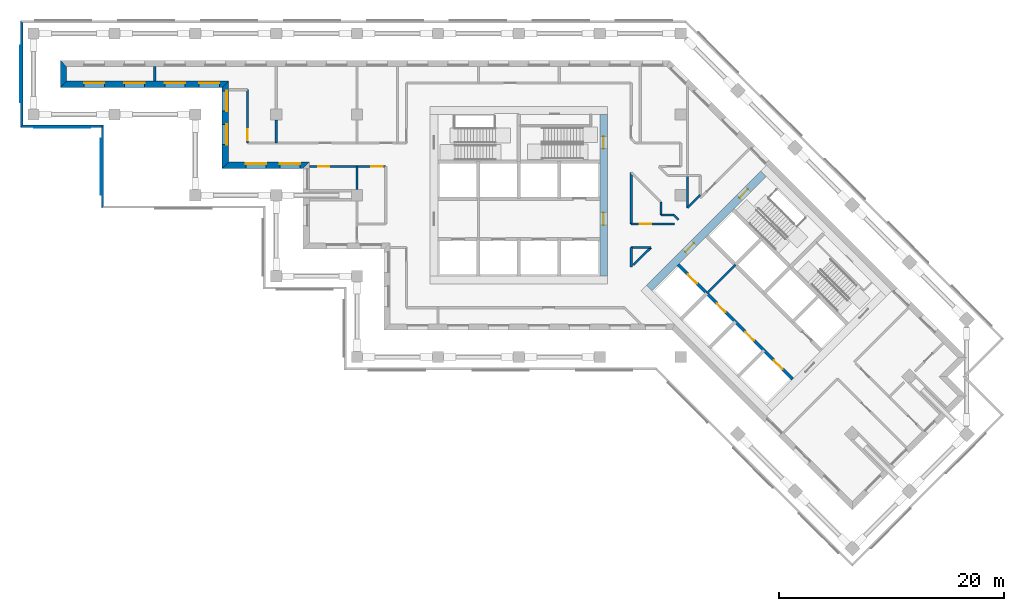
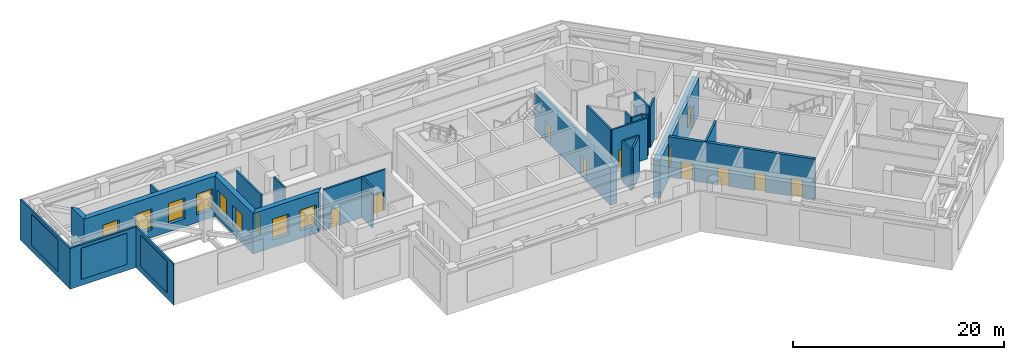
# One storey, part 4 of 9: 26 walls, 12 doors, 8 windows, 3 plates, 20 openings.
"""IFC4 building model written with IfcOpenShell, lengths in metres."""

from ifc_helpers import new_model, si_unit, direction, frame, frame_2d, origin, place, context, subcontext, project, spatial, polyline, rectangle, outline, extrude, material, layer, layer_set, type_object, element, fill, aggregate, save


model = new_model("IFC4")

# Units and contexts
model_context = context("Model", 3, precision=1e-05, world=origin(), true_north=direction((0.0, 1.0)))
body_context = subcontext(model_context, "Body", "Model", "MODEL_VIEW")
ifc_project = project(units=[si_unit("LENGTHUNIT", "METRE"), si_unit("AREAUNIT", "SQUARE_METRE"), si_unit("VOLUMEUNIT", "CUBIC_METRE"), si_unit("PLANEANGLEUNIT", "RADIAN"), si_unit("MASSUNIT", "GRAM", prefix="KILO")], contexts=[model_context])

# Plate
ifc_material_1 = material(Name="Aluminium louvre", Category="aluminium")
ifc_layer_1 = layer(ifc_material_1, 0.05)
ifc_layer_set_1 = layer_set([ifc_layer_1], Name="Belt louvre panel 5000x3600")
plate_type = type_object("IfcPlateType", Name="Belt louvre panel 5000x3600", PredefinedType="SHEET", material=ifc_layer_set_1)
site_placement = place(None, origin())
building_placement = place(site_placement, origin())
storey_placement = place(building_placement, frame((0.0, 0.0, 126.2)))
plate_1_placement = place(storey_placement, frame((20.4, 70.9, 0.75), z_axis=(-1.0, 0.0, 0.0), x_axis=(0.0, -1.0, 0.0)))
plate_1 = element("IfcPlate", 1, at=plate_1_placement, type_object=plate_type, Name="Belt louvre panel L34 37.1", PredefinedType="SHEET", context=body_context, shape_type="SweptSolid", body=[
    extrude(outline(polyline([(0.0, 0.0), (5.0, 0.0), (5.0, 3.6), (0.0, 3.6), (0.0, 0.0)])), origin(), (0.0, 0.0, -1.0), 0.05),
])

plate_2_placement = place(storey_placement, frame((21.65, 63.6, 0.75), z_axis=(0.0, -1.0, 0.0), x_axis=(1.0, 0.0, 0.0)))
plate_2 = element("IfcPlate", 2, at=plate_2_placement, type_object=plate_type, Name="Belt louvre panel L34 41.1", PredefinedType="SHEET", context=body_context, shape_type="SweptSolid", body=[
    extrude(outline(polyline([(0.0, 0.0), (5.0, 0.0), (5.0, 3.6), (0.0, 3.6), (0.0, 0.0)])), origin(), (0.0, 0.0, -1.0), 0.05),
])

plate_3_placement = place(storey_placement, frame((27.6, 62.65, 0.75), z_axis=(-1.0, 0.0, 0.0), x_axis=(0.0, -1.0, 0.0)))
plate_3 = element("IfcPlate", 3, at=plate_3_placement, type_object=plate_type, Name="Belt louvre panel L34 45.1", PredefinedType="SHEET", context=body_context, shape_type="SweptSolid", body=[
    extrude(outline(polyline([(0.0, 0.0), (5.0, 0.0), (5.0, 3.6), (0.0, 3.6), (0.0, 0.0)])), origin(), (0.0, 0.0, -1.0), 0.05),
])

# Site, building, storey
site = spatial("IfcSite", under=ifc_project, at=site_placement, CompositionType="ELEMENT")
building = spatial("IfcBuilding", under=site, at=building_placement, Name="Windrow Commons", CompositionType="ELEMENT")
storey = spatial("IfcBuildingStorey", under=building, at=storey_placement, Name="L34", CompositionType="ELEMENT", Elevation=126.2)

# Wall
ifc_material_2 = material(Name="Concrete C40/50 precast screen panel", Category="concrete")
ifc_layer_2 = layer(ifc_material_2, 0.2)
ifc_layer_set_2 = layer_set([ifc_layer_2], Name="Belt screen wall 200")
wall_type_1 = type_object("IfcWallType", Name="Belt screen wall 200", PredefinedType="SOLIDWALL", material=ifc_layer_set_2)
wall_1_placement = place(storey_placement, frame((20.55, 73.05, 0.0), z_axis=(0.0, 0.0, 1.0), x_axis=(0.0, -1.0, 0.0)))
wall_1 = element("IfcWall", 4, at=wall_1_placement, inside=storey, type_object=wall_type_1, Name="Belt screen wall L34 37", PredefinedType="SOLIDWALL", context=body_context, shape_type="SweptSolid", body=[
    extrude(outline(polyline([(-0.1, -0.1), (9.4, -0.1), (9.2, 0.1), (0.1, 0.1), (-0.1, -0.1)])), origin(), (0.0, 0.0, 1.0), 4.7),
])

aggregate(wall_1, [plate_1])

wall_2_placement = place(storey_placement, frame((20.55, 63.75, 0.0), z_axis=(0.0, 0.0, 1.0), x_axis=(1.0, 0.0, 0.0)))
wall_2 = element("IfcWall", 5, at=wall_2_placement, inside=storey, type_object=wall_type_1, Name="Belt screen wall L34 41", PredefinedType="SOLIDWALL", context=body_context, shape_type="SweptSolid", body=[
    extrude(outline(polyline([(-0.1, -0.1), (7.1, -0.1), (7.3, 0.1), (0.1, 0.1), (-0.1, -0.1)])), origin(), (0.0, 0.0, 1.0), 4.7),
])

aggregate(wall_2, [plate_2])

wall_3_placement = place(storey_placement, frame((27.75, 63.75, 0.0), z_axis=(0.0, 0.0, 1.0), x_axis=(0.0, -1.0, 0.0)))
wall_3 = element("IfcWall", 6, at=wall_3_placement, inside=storey, type_object=wall_type_1, Name="Belt screen wall L34 45", PredefinedType="SOLIDWALL", context=body_context, shape_type="SweptSolid", body=[
    extrude(outline(polyline([(0.1, -0.1), (7.3, -0.1), (7.1, 0.1), (-0.1, 0.1), (0.1, -0.1)])), origin(), (0.0, 0.0, 1.0), 4.7),
])

aggregate(wall_3, [plate_3])

ifc_material_3 = material(Name="Brick masonry, red clay brick", Category="masonry")
ifc_layer_3 = layer(ifc_material_3, 0.55)
ifc_layer_set_3 = layer_set([ifc_layer_3], Name="Brick facade wall 550")
wall_type_2 = type_object("IfcWallType", Name="Brick facade wall 550", PredefinedType="SOLIDWALL", material=ifc_layer_set_3)
wall_4_placement = place(storey_placement, frame((24.275, 69.325, 0.0), z_axis=(0.0, 0.0, 1.0), x_axis=(0.0, -1.0, 0.0)))
element("IfcWall", 7, at=wall_4_placement, inside=storey, type_object=wall_type_2, Name="Brick facade wall L34 5", PredefinedType="SOLIDWALL", context=body_context, shape_type="SweptSolid", body=[
    extrude(outline(polyline([(-0.275, -0.275), (2.125, -0.275), (1.575, 0.275), (0.275, 0.275), (-0.275, -0.275)])), origin(), (0.0, 0.0, 1.0), 4.7),
])

# Wall, openings, windows
wall_5_placement = place(storey_placement, frame((24.275, 67.475, 0.0), z_axis=(0.0, 0.0, 1.0), x_axis=(1.0, 0.0, 0.0)))
wall_5 = element("IfcWall", 8, at=wall_5_placement, inside=storey, type_object=wall_type_2, Name="Brick facade wall L34 6", PredefinedType="SOLIDWALL", context=body_context, shape_type="SweptSolid", body=[
    extrude(outline(polyline([(-0.275, -0.275), (14.125, -0.275), (14.675, 0.275), (0.275, 0.275), (-0.275, -0.275)])), origin(), (0.0, 0.0, 1.0), 4.7),
])
opening_1_placement = place(wall_5_placement, frame((1.825, 0.0, 0.9)))
opening_1 = element("IfcOpeningElement", 9, at=opening_1_placement, cuts=wall_5, Name="Opening LV1", PredefinedType="OPENING", context=body_context, shape_type="SweptSolid", body=[
    extrude(rectangle(XDim=1.8, YDim=2.4, at=frame_2d((0.9, 1.2))), frame((0.0, 0.285, 0.0), z_axis=(0.0, -1.0, 0.0), x_axis=(1.0, 0.0, 0.0)), (0.0, 0.0, 1.0), 0.57),
])
opening_2_placement = place(wall_5_placement, frame((5.425, 0.0, 0.9)))
opening_2 = element("IfcOpeningElement", 10, at=opening_2_placement, cuts=wall_5, Name="Opening LV1", PredefinedType="OPENING", context=body_context, shape_type="SweptSolid", body=[
    extrude(rectangle(XDim=1.8, YDim=2.4, at=frame_2d((0.9, 1.2))), frame((0.0, 0.285, 0.0), z_axis=(0.0, -1.0, 0.0), x_axis=(1.0, 0.0, 0.0)), (0.0, 0.0, 1.0), 0.57),
])
opening_3_placement = place(wall_5_placement, frame((9.025, 0.0, 0.9)))
opening_3 = element("IfcOpeningElement", 11, at=opening_3_placement, cuts=wall_5, Name="Opening LV1", PredefinedType="OPENING", context=body_context, shape_type="SweptSolid", body=[
    extrude(rectangle(XDim=1.8, YDim=2.4, at=frame_2d((0.9, 1.2))), frame((0.0, 0.285, 0.0), z_axis=(0.0, -1.0, 0.0), x_axis=(1.0, 0.0, 0.0)), (0.0, 0.0, 1.0), 0.57),
])
opening_4_placement = place(wall_5_placement, frame((12.0625, 0.0, 0.9)))
opening_4 = element("IfcOpeningElement", 12, at=opening_4_placement, cuts=wall_5, Name="Opening LV1", PredefinedType="OPENING", context=body_context, shape_type="SweptSolid", body=[
    extrude(rectangle(XDim=1.8, YDim=2.4, at=frame_2d((0.9, 1.2))), frame((0.0, 0.285, 0.0), z_axis=(0.0, -1.0, 0.0), x_axis=(1.0, 0.0, 0.0)), (0.0, 0.0, 1.0), 0.57),
])
ifc_material_4 = material(Name="Aluminium 6063-T6 anodised louvre", Category="aluminium")
window_type = type_object("IfcWindowType", Name="Plant louvre 1800x2400", PartitioningType="SINGLE_PANEL", PredefinedType="WINDOW", material=ifc_material_4)
window_1_placement = place(opening_1_placement, origin())
window_1 = element("IfcWindow", 13, at=window_1_placement, inside=storey, type_object=window_type, Name="Louvre L34 6.1", OverallHeight=2.4, OverallWidth=1.8, PartitioningType="SINGLE_PANEL", PredefinedType="WINDOW", context=body_context, shape_type="SweptSolid", body=[
    extrude(rectangle(XDim=1.8, YDim=2.4, at=frame_2d((0.9, 1.2))), frame((0.0, 0.155, 0.0), z_axis=(0.0, -1.0, 0.0), x_axis=(1.0, 0.0, 0.0)), (0.0, 0.0, 1.0), 0.06),
])
fill(opening_1, window_1)
window_2_placement = place(opening_2_placement, origin())
window_2 = element("IfcWindow", 14, at=window_2_placement, inside=storey, type_object=window_type, Name="Louvre L34 6.2", OverallHeight=2.4, OverallWidth=1.8, PartitioningType="SINGLE_PANEL", PredefinedType="WINDOW", context=body_context, shape_type="SweptSolid", body=[
    extrude(rectangle(XDim=1.8, YDim=2.4, at=frame_2d((0.9, 1.2))), frame((0.0, 0.155, 0.0), z_axis=(0.0, -1.0, 0.0), x_axis=(1.0, 0.0, 0.0)), (0.0, 0.0, 1.0), 0.06),
])
fill(opening_2, window_2)
window_3_placement = place(opening_3_placement, origin())
window_3 = element("IfcWindow", 15, at=window_3_placement, inside=storey, type_object=window_type, Name="Louvre L34 6.3", OverallHeight=2.4, OverallWidth=1.8, PartitioningType="SINGLE_PANEL", PredefinedType="WINDOW", context=body_context, shape_type="SweptSolid", body=[
    extrude(rectangle(XDim=1.8, YDim=2.4, at=frame_2d((0.9, 1.2))), frame((0.0, 0.155, 0.0), z_axis=(0.0, -1.0, 0.0), x_axis=(1.0, 0.0, 0.0)), (0.0, 0.0, 1.0), 0.06),
])
fill(opening_3, window_3)
window_4_placement = place(opening_4_placement, origin())
window_4 = element("IfcWindow", 16, at=window_4_placement, inside=storey, type_object=window_type, Name="Louvre L34 6.4", OverallHeight=2.4, OverallWidth=1.8, PartitioningType="SINGLE_PANEL", PredefinedType="WINDOW", context=body_context, shape_type="SweptSolid", body=[
    extrude(rectangle(XDim=1.8, YDim=2.4, at=frame_2d((0.9, 1.2))), frame((0.0, 0.155, 0.0), z_axis=(0.0, -1.0, 0.0), x_axis=(1.0, 0.0, 0.0)), (0.0, 0.0, 1.0), 0.06),
])
fill(opening_4, window_4)

wall_6_placement = place(storey_placement, frame((38.675, 67.475, 0.0), z_axis=(0.0, 0.0, 1.0), x_axis=(0.0, -1.0, 0.0)))
wall_6 = element("IfcWall", 17, at=wall_6_placement, inside=storey, type_object=wall_type_2, Name="Brick facade wall L34 7", PredefinedType="SOLIDWALL", context=body_context, shape_type="SweptSolid", body=[
    extrude(outline(polyline([(0.275, -0.275), (7.475, -0.275), (6.925, 0.275), (-0.275, 0.275), (0.275, -0.275)])), origin(), (0.0, 0.0, 1.0), 4.7),
])
opening_5_placement = place(wall_6_placement, frame((0.5875, 0.0, 0.9)))
opening_5 = element("IfcOpeningElement", 18, at=opening_5_placement, cuts=wall_6, Name="Opening LV1", PredefinedType="OPENING", context=body_context, shape_type="SweptSolid", body=[
    extrude(rectangle(XDim=1.8, YDim=2.4, at=frame_2d((0.9, 1.2))), frame((0.0, 0.285, 0.0), z_axis=(0.0, -1.0, 0.0), x_axis=(1.0, 0.0, 0.0)), (0.0, 0.0, 1.0), 0.57),
])
opening_6_placement = place(wall_6_placement, frame((3.575, 0.0, 0.9)))
opening_6 = element("IfcOpeningElement", 19, at=opening_6_placement, cuts=wall_6, Name="Opening LV1", PredefinedType="OPENING", context=body_context, shape_type="SweptSolid", body=[
    extrude(rectangle(XDim=1.8, YDim=2.4, at=frame_2d((0.9, 1.2))), frame((0.0, 0.285, 0.0), z_axis=(0.0, -1.0, 0.0), x_axis=(1.0, 0.0, 0.0)), (0.0, 0.0, 1.0), 0.57),
])
window_5_placement = place(opening_5_placement, origin())
window_5 = element("IfcWindow", 20, at=window_5_placement, inside=storey, type_object=window_type, Name="Louvre L34 7.1", OverallHeight=2.4, OverallWidth=1.8, PartitioningType="SINGLE_PANEL", PredefinedType="WINDOW", context=body_context, shape_type="SweptSolid", body=[
    extrude(rectangle(XDim=1.8, YDim=2.4, at=frame_2d((0.9, 1.2))), frame((0.0, 0.155, 0.0), z_axis=(0.0, -1.0, 0.0), x_axis=(1.0, 0.0, 0.0)), (0.0, 0.0, 1.0), 0.06),
])
fill(opening_5, window_5)
window_6_placement = place(opening_6_placement, origin())
window_6 = element("IfcWindow", 21, at=window_6_placement, inside=storey, type_object=window_type, Name="Louvre L34 7.2", OverallHeight=2.4, OverallWidth=1.8, PartitioningType="SINGLE_PANEL", PredefinedType="WINDOW", context=body_context, shape_type="SweptSolid", body=[
    extrude(rectangle(XDim=1.8, YDim=2.4, at=frame_2d((0.9, 1.2))), frame((0.0, 0.155, 0.0), z_axis=(0.0, -1.0, 0.0), x_axis=(1.0, 0.0, 0.0)), (0.0, 0.0, 1.0), 0.06),
])
fill(opening_6, window_6)

wall_7_placement = place(storey_placement, frame((38.675, 60.275, 0.0), z_axis=(0.0, 0.0, 1.0), x_axis=(1.0, 0.0, 0.0)))
wall_7 = element("IfcWall", 22, at=wall_7_placement, inside=storey, type_object=wall_type_2, Name="Brick facade wall L34 8", PredefinedType="SOLIDWALL", context=body_context, shape_type="SweptSolid", body=[
    extrude(outline(polyline([(-0.275, -0.275), (6.925, -0.275), (7.475, 0.275), (0.275, 0.275), (-0.275, -0.275)])), origin(), (0.0, 0.0, 1.0), 4.7),
])
opening_7_placement = place(wall_7_placement, frame((1.825, 0.0, 0.9)))
opening_7 = element("IfcOpeningElement", 23, at=opening_7_placement, cuts=wall_7, Name="Opening LV1", PredefinedType="OPENING", context=body_context, shape_type="SweptSolid", body=[
    extrude(rectangle(XDim=1.8, YDim=2.4, at=frame_2d((0.9, 1.2))), frame((0.0, 0.285, 0.0), z_axis=(0.0, -1.0, 0.0), x_axis=(1.0, 0.0, 0.0)), (0.0, 0.0, 1.0), 0.57),
])
opening_8_placement = place(wall_7_placement, frame((4.8625, 0.0, 0.9)))
opening_8 = element("IfcOpeningElement", 24, at=opening_8_placement, cuts=wall_7, Name="Opening LV1", PredefinedType="OPENING", context=body_context, shape_type="SweptSolid", body=[
    extrude(rectangle(XDim=1.8, YDim=2.4, at=frame_2d((0.9, 1.2))), frame((0.0, 0.285, 0.0), z_axis=(0.0, -1.0, 0.0), x_axis=(1.0, 0.0, 0.0)), (0.0, 0.0, 1.0), 0.57),
])
window_7_placement = place(opening_7_placement, origin())
window_7 = element("IfcWindow", 25, at=window_7_placement, inside=storey, type_object=window_type, Name="Louvre L34 8.1", OverallHeight=2.4, OverallWidth=1.8, PartitioningType="SINGLE_PANEL", PredefinedType="WINDOW", context=body_context, shape_type="SweptSolid", body=[
    extrude(rectangle(XDim=1.8, YDim=2.4, at=frame_2d((0.9, 1.2))), frame((0.0, 0.155, 0.0), z_axis=(0.0, -1.0, 0.0), x_axis=(1.0, 0.0, 0.0)), (0.0, 0.0, 1.0), 0.06),
])
fill(opening_7, window_7)
window_8_placement = place(opening_8_placement, origin())
window_8 = element("IfcWindow", 26, at=window_8_placement, inside=storey, type_object=window_type, Name="Louvre L34 8.2", OverallHeight=2.4, OverallWidth=1.8, PartitioningType="SINGLE_PANEL", PredefinedType="WINDOW", context=body_context, shape_type="SweptSolid", body=[
    extrude(rectangle(XDim=1.8, YDim=2.4, at=frame_2d((0.9, 1.2))), frame((0.0, 0.155, 0.0), z_axis=(0.0, -1.0, 0.0), x_axis=(1.0, 0.0, 0.0)), (0.0, 0.0, 1.0), 0.06),
])
fill(opening_8, window_8)

# Wall
ifc_material_5 = material(Name="Blockwork partition", Category="masonry")
ifc_layer_4 = layer(ifc_material_5, 0.2)
ifc_layer_set_4 = layer_set([ifc_layer_4], Name="Fire lobby partition 200")
wall_type_3 = type_object("IfcWallType", Name="Fire lobby partition 200", PredefinedType="PARTITIONING", material=ifc_layer_set_4)
wall_8_placement = place(storey_placement, frame((81.5335, 48.8776, 0.0), z_axis=(0.0, 0.0, 1.0), x_axis=(0.707092892, 0.7071206701, 0.0)))
element("IfcWall", 27, at=wall_8_placement, inside=storey, type_object=wall_type_3, Name="W-core-lobby-B-L34", PredefinedType="PARTITIONING", context=body_context, shape_type="SweptSolid", body=[
    extrude(rectangle(XDim=3.6, YDim=0.2, at=frame_2d((1.8, 0.0))), origin(), (0.0, 0.0, 1.0), 4.7),
])

# Wall, openings, doors
ifc_material_6 = material(Name="Blockwork partition", Category="masonry")
ifc_layer_5 = layer(ifc_material_6, 0.2)
ifc_layer_set_5 = layer_set([ifc_layer_5], Name="IW-CORRIDOR-200")
wall_type_4 = type_object("IfcWallType", Name="IW-CORRIDOR-200", PredefinedType="PARTITIONING", material=ifc_layer_set_5)
wall_9_placement = place(storey_placement, frame((46.15, 60.15, 0.0), z_axis=(0.0, 0.0, 1.0), x_axis=(1.0, 0.0, 0.0)))
wall_9 = element("IfcWall", 28, at=wall_9_placement, inside=storey, type_object=wall_type_4, Name="W-L34-W006", PredefinedType="PARTITIONING", context=body_context, shape_type="SweptSolid", body=[
    extrude(rectangle(XDim=6.8, YDim=0.2, at=frame_2d((3.4, 0.0))), origin(), (0.0, 0.0, 1.0), 4.7),
])
opening_9_placement = place(wall_9_placement, frame((0.7962, 0.0, 0.0)))
opening_9 = element("IfcOpeningElement", 29, at=opening_9_placement, cuts=wall_9, Name="Opening D410F", PredefinedType="OPENING", context=body_context, shape_type="SweptSolid", body=[
    extrude(rectangle(XDim=1.0, YDim=2.1, at=frame_2d((0.5, 1.05))), frame((0.0, 0.11, 0.0), z_axis=(0.0, -1.0, 0.0), x_axis=(1.0, 0.0, 0.0)), (0.0, 0.0, 1.0), 0.22),
])
opening_10_placement = place(wall_9_placement, frame((5.5324, 0.0, 0.0)))
opening_10 = element("IfcOpeningElement", 30, at=opening_10_placement, cuts=wall_9, Name="Opening D410F", PredefinedType="OPENING", context=body_context, shape_type="SweptSolid", body=[
    extrude(rectangle(XDim=1.0, YDim=2.1, at=frame_2d((0.5, 1.05))), frame((0.0, 0.11, 0.0), z_axis=(0.0, -1.0, 0.0), x_axis=(1.0, 0.0, 0.0)), (0.0, 0.0, 1.0), 0.22),
])
ifc_material_7 = material(Name="Timber door leaf", Category="wood")
door_type_1 = type_object("IfcDoorType", Name="DT-SERVICE-1000", OperationType="SINGLE_SWING_LEFT", PredefinedType="DOOR", material=ifc_material_7)
door_1_placement = place(opening_9_placement, origin())
door_1 = element("IfcDoor", 31, at=door_1_placement, inside=storey, type_object=door_type_1, Name="D-L34-D002", OperationType="SINGLE_SWING_RIGHT", OverallHeight=2.1, OverallWidth=1.0, PredefinedType="DOOR", context=body_context, shape_type="SweptSolid", body=[
    extrude(rectangle(XDim=1.0, YDim=2.1, at=frame_2d((0.5, 1.05))), frame((0.0, 0.025, 0.0), z_axis=(0.0, -1.0, 0.0), x_axis=(1.0, 0.0, 0.0)), (0.0, 0.0, 1.0), 0.05),
])
fill(opening_9, door_1)
door_2_placement = place(opening_10_placement, origin())
door_2 = element("IfcDoor", 32, at=door_2_placement, inside=storey, type_object=door_type_1, Name="D-L34-D003", OperationType="SINGLE_SWING_LEFT", OverallHeight=2.1, OverallWidth=1.0, PredefinedType="DOOR", context=body_context, shape_type="SweptSolid", body=[
    extrude(rectangle(XDim=1.0, YDim=2.1, at=frame_2d((0.5, 1.05))), frame((0.0, 0.025, 0.0), z_axis=(0.0, -1.0, 0.0), x_axis=(1.0, 0.0, 0.0)), (0.0, 0.0, 1.0), 0.05),
])
fill(opening_10, door_2)

# Wall, opening, door
wall_10_placement = place(storey_placement, frame((40.65, 62.252, 0.0), z_axis=(0.0, 0.0, 1.0), x_axis=(0.0, 1.0, 0.0)))
wall_10 = element("IfcWall", 33, at=wall_10_placement, inside=storey, type_object=wall_type_4, Name="W-L34-W016", PredefinedType="PARTITIONING", context=body_context, shape_type="SweptSolid", body=[
    extrude(rectangle(XDim=4.746, YDim=0.2, at=frame_2d((2.373, 0.0))), origin(), (0.0, 0.0, 1.0), 4.7),
])
opening_11_placement = place(wall_10_placement, frame((0.2318, 0.0, 0.0)))
opening_11 = element("IfcOpeningElement", 34, at=opening_11_placement, cuts=wall_10, Name="Opening D410F", PredefinedType="OPENING", context=body_context, shape_type="SweptSolid", body=[
    extrude(rectangle(XDim=1.0, YDim=2.1, at=frame_2d((0.5, 1.05))), frame((0.0, 0.11, 0.0), z_axis=(0.0, -1.0, 0.0), x_axis=(1.0, 0.0, 0.0)), (0.0, 0.0, 1.0), 0.22),
])
door_3_placement = place(opening_11_placement, origin())
door_3 = element("IfcDoor", 35, at=door_3_placement, inside=storey, type_object=door_type_1, Name="D-L34-D006", OperationType="SINGLE_SWING_LEFT", OverallHeight=2.1, OverallWidth=1.0, PredefinedType="DOOR", context=body_context, shape_type="SweptSolid", body=[
    extrude(rectangle(XDim=1.0, YDim=2.1, at=frame_2d((0.5, 1.05))), frame((0.0, 0.025, 0.0), z_axis=(0.0, -1.0, 0.0), x_axis=(1.0, 0.0, 0.0)), (0.0, 0.0, 1.0), 0.05),
])
fill(opening_11, door_3)

# Wall
wall_11_placement = place(storey_placement, frame((74.8, 55.052, 0.0), z_axis=(0.0, 0.0, 1.0), x_axis=(0.0, 1.0, 0.0)))
element("IfcWall", 36, at=wall_11_placement, inside=storey, type_object=wall_type_4, Name="W-L34-W017", PredefinedType="PARTITIONING", context=body_context, shape_type="SweptSolid", body=[
    extrude(rectangle(XDim=4.588, YDim=0.2, at=frame_2d((2.294, 0.0))), origin(), (0.0, 0.0, 1.0), 4.7),
])

# Wall, opening, door
wall_12_placement = place(storey_placement, frame((74.802, 55.05, 0.0), z_axis=(0.0, 0.0, 1.0), x_axis=(1.0, 0.0, 0.0)))
wall_12 = element("IfcWall", 37, at=wall_12_placement, inside=storey, type_object=wall_type_4, Name="W-L34-W022", PredefinedType="PARTITIONING", context=body_context, shape_type="SweptSolid", body=[
    extrude(rectangle(XDim=3.852, YDim=0.2, at=frame_2d((1.926, 0.0))), origin(), (0.0, 0.0, 1.0), 4.7),
])
opening_12_placement = place(wall_12_placement, frame((0.7595, 0.0, 0.0)))
opening_12 = element("IfcOpeningElement", 38, at=opening_12_placement, cuts=wall_12, Name="Opening D410F", PredefinedType="OPENING", context=body_context, shape_type="SweptSolid", body=[
    extrude(rectangle(XDim=1.0, YDim=2.1, at=frame_2d((0.5, 1.05))), frame((0.0, 0.11, 0.0), z_axis=(0.0, -1.0, 0.0), x_axis=(1.0, 0.0, 0.0)), (0.0, 0.0, 1.0), 0.22),
])
door_4_placement = place(opening_12_placement, origin())
door_4 = element("IfcDoor", 39, at=door_4_placement, inside=storey, type_object=door_type_1, Name="D-L34-D004", OperationType="SINGLE_SWING_LEFT", OverallHeight=2.1, OverallWidth=1.0, PredefinedType="DOOR", context=body_context, shape_type="SweptSolid", body=[
    extrude(rectangle(XDim=1.0, YDim=2.1, at=frame_2d((0.5, 1.05))), frame((0.0, 0.025, 0.0), z_axis=(0.0, -1.0, 0.0), x_axis=(1.0, 0.0, 0.0)), (0.0, 0.0, 1.0), 0.05),
])
fill(opening_12, door_4)

# Walls
wall_13_placement = place(storey_placement, frame((79.8, 56.48, 0.0), z_axis=(0.0, 0.0, 1.0), x_axis=(0.0, 1.0, 0.0)))
element("IfcWall", 40, at=wall_13_placement, inside=storey, type_object=wall_type_4, Name="W-L34-W030", PredefinedType="PARTITIONING", context=body_context, shape_type="SweptSolid", body=[
    extrude(rectangle(XDim=2.87, YDim=0.2, at=frame_2d((1.435, 0.0))), origin(), (0.0, 0.0, 1.0), 4.7),
])
wall_14_placement = place(storey_placement, frame((74.9979, 51.3981, 0.0), z_axis=(0.0, 0.0, 1.0), x_axis=(0.7075619512, 0.706651318, 0.0)))
element("IfcWall", 41, at=wall_14_placement, inside=storey, type_object=wall_type_4, Name="W-L34-W032", PredefinedType="PARTITIONING", context=body_context, shape_type="SweptSolid", body=[
    extrude(rectangle(XDim=2.1963, YDim=0.2, at=frame_2d((1.0981, 0.0))), origin(), (0.0, 0.0, 1.0), 4.7),
])
wall_15_placement = place(storey_placement, frame((74.8, 51.198, 0.0), z_axis=(0.0, 0.0, 1.0), x_axis=(0.0, 1.0, 0.0)))
element("IfcWall", 42, at=wall_15_placement, inside=storey, type_object=wall_type_4, Name="W-L34-W041", PredefinedType="PARTITIONING", context=body_context, shape_type="SweptSolid", body=[
    extrude(rectangle(XDim=1.752, YDim=0.2, at=frame_2d((0.876, 0.0))), origin(), (0.0, 0.0, 1.0), 4.7),
])
wall_16_placement = place(storey_placement, frame((74.802, 52.95, 0.0), z_axis=(0.0, 0.0, 1.0), x_axis=(1.0, 0.0, 0.0)))
element("IfcWall", 43, at=wall_16_placement, inside=storey, type_object=wall_type_4, Name="W-L34-W042", PredefinedType="PARTITIONING", context=body_context, shape_type="SweptSolid", body=[
    extrude(rectangle(XDim=1.75, YDim=0.2, at=frame_2d((0.875, 0.0))), origin(), (0.0, 0.0, 1.0), 4.7),
])
wall_17_placement = place(storey_placement, frame((79.8012, 56.4808, 0.0), z_axis=(0.0, 0.0, 1.0), x_axis=(0.7071067812, 0.7071067812, 0.0)))
element("IfcWall", 44, at=wall_17_placement, inside=storey, type_object=wall_type_4, Name="W-L34-W047", PredefinedType="PARTITIONING", context=body_context, shape_type="SweptSolid", body=[
    extrude(rectangle(XDim=1.6235, YDim=0.2, at=frame_2d((0.8117, 0.0))), origin(), (0.0, 0.0, 1.0), 4.7),
])
for number, where, z_axis, x_axis, name in (
    (45, (77.452, 55.85, 0.0), (0.0, 0.0, 1.0), (1.0, 0.0, 0.0), "W-L34-W054"),
    (46, (77.45, 55.852, 0.0), (0.0, 0.0, 1.0), (0.0, 1.0, 0.0), "W-L34-W055"),
):
    element("IfcWall", number, at=place(storey_placement, frame(where, z_axis=z_axis, x_axis=x_axis)), inside=storey, type_object=wall_type_4, Name=name, PredefinedType="PARTITIONING", context=body_context, shape_type="SweptSolid", body=[
        extrude(rectangle(XDim=1.14, YDim=0.2, at=frame_2d((0.57, 0.0))), origin(), (0.0, 0.0, 1.0), 4.7),
    ])
wall_18_placement = place(storey_placement, frame((78.5886, 55.8466, 0.0), z_axis=(0.0, 0.0, 1.0), x_axis=(0.7071067812, -0.7071067812, 0.0)))
element("IfcWall", 47, at=wall_18_placement, inside=storey, type_object=wall_type_4, Name="W-L34-W057", PredefinedType="PARTITIONING", context=body_context, shape_type="SweptSolid", body=[
    extrude(rectangle(XDim=0.6081, YDim=0.2, at=frame_2d((0.304, 0.0))), origin(), (0.0, 0.0, 1.0), 4.7),
])
ifc_material_8 = material(Name="Blockwork partition", Category="masonry")
ifc_layer_6 = layer(ifc_material_8, 0.2)
ifc_layer_set_6 = layer_set([ifc_layer_6], Name="IW-PARTY-200")
wall_type_5 = type_object("IfcWallType", Name="IW-PARTY-200", PredefinedType="PARTITIONING", material=ifc_layer_set_6)
for number, where, z_axis, x_axis, name in (
    (48, (43.2, 62.25, 0.0), (0.0, 0.0, 1.0), (0.0, 1.0, 0.0), "W-L34-W035"),
    (49, (50.4, 58.1, 0.0), (0.0, 0.0, 1.0), (0.0, 1.0, 0.0), "W-L34-W036"),
):
    element("IfcWall", number, at=place(storey_placement, frame(where, z_axis=z_axis, x_axis=x_axis)), inside=storey, type_object=wall_type_5, Name=name, PredefinedType="PARTITIONING", context=body_context, shape_type="SweptSolid", body=[
        extrude(rectangle(XDim=2.05, YDim=0.2, at=frame_2d((1.025, 0.0))), origin(), (0.0, 0.0, 1.0), 4.7),
    ])
wall_19_placement = place(storey_placement, frame((32.4, 67.75, 0.0), z_axis=(0.0, 0.0, 1.0), x_axis=(0.0, 1.0, 0.0)))
element("IfcWall", 50, at=wall_19_placement, inside=storey, type_object=wall_type_5, Name="W-L34-W052", PredefinedType="PARTITIONING", context=body_context, shape_type="SweptSolid", body=[
    extrude(rectangle(XDim=1.3, YDim=0.2, at=frame_2d((0.65, 0.0))), origin(), (0.0, 0.0, 1.0), 4.7),
])

# Wall, openings, doors
ifc_material_9 = material(Name="Concrete C50/60", Category="concrete")
ifc_layer_7 = layer(ifc_material_9, 0.7)
ifc_layer_set_7 = layer_set([ifc_layer_7], Name="RC CORE WALL 700 C50/60")
wall_type_6 = type_object("IfcWallType", Name="RC CORE WALL 700 C50/60", PredefinedType="SHEAR", material=ifc_layer_set_7)
wall_20_placement = place(storey_placement, frame((72.35, 50.4, -0.3), z_axis=(0.0, 0.0, 1.0), x_axis=(0.0, 1.0, 0.0)))
wall_20 = element("IfcWall", 51, at=wall_20_placement, inside=storey, type_object=wall_type_6, Name="Core A wall outer-E", PredefinedType="SHEAR", context=body_context, shape_type="SweptSolid", body=[
    extrude(rectangle(XDim=14.4, YDim=0.7, at=frame_2d((7.2, 0.0))), origin(), (0.0, 0.0, 1.0), 4.3),
])
opening_13_placement = place(wall_20_placement, frame((4.55, 0.0, 0.3)))
opening_13 = element("IfcOpeningElement", 52, at=opening_13_placement, cuts=wall_20, Name="Opening D6", PredefinedType="OPENING", context=body_context, shape_type="SweptSolid", body=[
    extrude(rectangle(XDim=1.1, YDim=2.1, at=frame_2d((0.55, 1.05))), frame((0.0, 0.36, 0.0), z_axis=(0.0, -1.0, 0.0), x_axis=(1.0, 0.0, 0.0)), (0.0, 0.0, 1.0), 0.72),
])
opening_14_placement = place(wall_20_placement, frame((11.35, 0.0, 0.3)))
opening_14 = element("IfcOpeningElement", 53, at=opening_14_placement, cuts=wall_20, Name="Opening D7", PredefinedType="OPENING", context=body_context, shape_type="SweptSolid", body=[
    extrude(rectangle(XDim=1.1, YDim=2.1, at=frame_2d((0.55, 1.05))), frame((0.0, 0.36, 0.0), z_axis=(0.0, -1.0, 0.0), x_axis=(1.0, 0.0, 0.0)), (0.0, 0.0, 1.0), 0.72),
])
ifc_material_10 = material(Name="Steel fire door leaf", Category="steel")
door_type_2 = type_object("IfcDoorType", Name="Core lobby door 1100", OperationType="SINGLE_SWING_LEFT", PredefinedType="DOOR", material=ifc_material_10)
door_5_placement = place(opening_13_placement, origin())
door_5 = element("IfcDoor", 54, at=door_5_placement, inside=storey, type_object=door_type_2, Name="Lift lobby door", OperationType="DOUBLE_DOOR_SINGLE_SWING", OverallHeight=2.1, OverallWidth=1.1, PredefinedType="DOOR", context=body_context, shape_type="SweptSolid", body=[
    extrude(rectangle(XDim=1.1, YDim=2.1, at=frame_2d((0.55, 1.05))), frame((0.0, 0.025, 0.0), z_axis=(0.0, -1.0, 0.0), x_axis=(1.0, 0.0, 0.0)), (0.0, 0.0, 1.0), 0.05),
])
fill(opening_13, door_5)
ifc_material_11 = material(Name="Steel fire door leaf", Category="steel")
door_type_3 = type_object("IfcDoorType", Name="Stair door 1100", OperationType="SINGLE_SWING_LEFT", PredefinedType="DOOR", material=ifc_material_11)
door_6_placement = place(opening_14_placement, origin())
door_6 = element("IfcDoor", 55, at=door_6_placement, inside=storey, type_object=door_type_3, Name="Stair door", OperationType="SINGLE_SWING_RIGHT", OverallHeight=2.1, OverallWidth=1.1, PredefinedType="DOOR", context=body_context, shape_type="SweptSolid", body=[
    extrude(rectangle(XDim=1.1, YDim=2.1, at=frame_2d((0.55, 1.05))), frame((0.0, 0.025, 0.0), z_axis=(0.0, -1.0, 0.0), x_axis=(1.0, 0.0, 0.0)), (0.0, 0.0, 1.0), 0.05),
])
fill(opening_14, door_6)

wall_21_placement = place(storey_placement, frame((76.4069, 49.3372, -0.3), z_axis=(0.0, 0.0, 1.0), x_axis=(0.7071067812, 0.7071067812, 0.0)))
wall_21 = element("IfcWall", 56, at=wall_21_placement, inside=storey, type_object=wall_type_6, Name="Core B wall outer-W", PredefinedType="SHEAR", context=body_context, shape_type="SweptSolid", body=[
    extrude(rectangle(XDim=14.4001, YDim=0.7, at=frame_2d((7.2001, 0.0))), origin(), (0.0, 0.0, 1.0), 4.3),
])
opening_15_placement = place(wall_21_placement, frame((4.55, 0.0, 0.3)))
opening_15 = element("IfcOpeningElement", 57, at=opening_15_placement, cuts=wall_21, Name="Opening D6", PredefinedType="OPENING", context=body_context, shape_type="SweptSolid", body=[
    extrude(rectangle(XDim=1.1, YDim=2.1, at=frame_2d((0.55, 1.05))), frame((0.0, 0.36, 0.0), z_axis=(0.0, -1.0, 0.0), x_axis=(1.0, 0.0, 0.0)), (0.0, 0.0, 1.0), 0.72),
])
opening_16_placement = place(wall_21_placement, frame((11.35, 0.0, 0.3)))
opening_16 = element("IfcOpeningElement", 58, at=opening_16_placement, cuts=wall_21, Name="Opening D7", PredefinedType="OPENING", context=body_context, shape_type="SweptSolid", body=[
    extrude(rectangle(XDim=1.1, YDim=2.1, at=frame_2d((0.55, 1.05))), frame((0.0, 0.36, 0.0), z_axis=(0.0, -1.0, 0.0), x_axis=(1.0, 0.0, 0.0)), (0.0, 0.0, 1.0), 0.72),
])
door_7_placement = place(opening_15_placement, origin())
door_7 = element("IfcDoor", 59, at=door_7_placement, inside=storey, type_object=door_type_2, Name="Lift lobby door", OperationType="DOUBLE_DOOR_SINGLE_SWING", OverallHeight=2.1, OverallWidth=1.1, PredefinedType="DOOR", context=body_context, shape_type="SweptSolid", body=[
    extrude(rectangle(XDim=1.1, YDim=2.1, at=frame_2d((0.55, 1.05))), frame((0.0, 0.025, 0.0), z_axis=(0.0, -1.0, 0.0), x_axis=(1.0, 0.0, 0.0)), (0.0, 0.0, 1.0), 0.05),
])
fill(opening_15, door_7)
door_8_placement = place(opening_16_placement, origin())
door_8 = element("IfcDoor", 60, at=door_8_placement, inside=storey, type_object=door_type_3, Name="Stair door", OperationType="SINGLE_SWING_LEFT", OverallHeight=2.1, OverallWidth=1.1, PredefinedType="DOOR", context=body_context, shape_type="SweptSolid", body=[
    extrude(rectangle(XDim=1.1, YDim=2.1, at=frame_2d((0.55, 1.05))), frame((0.0, 0.025, 0.0), z_axis=(0.0, -1.0, 0.0), x_axis=(1.0, 0.0, 0.0)), (0.0, 0.0, 1.0), 0.05),
])
fill(opening_16, door_8)

ifc_material_12 = material(Name="Concrete C50/60", Category="concrete")
ifc_layer_8 = layer(ifc_material_12, 0.3)
ifc_layer_set_8 = layer_set([ifc_layer_8], Name="RC SHAFT WALL 300 C50/60")
wall_type_7 = type_object("IfcWallType", Name="RC SHAFT WALL 300 C50/60", PredefinedType="SOLIDWALL", material=ifc_layer_set_8)
wall_22_placement = place(storey_placement, frame((78.9879, 51.4232, 0.0), z_axis=(0.0, 0.0, 1.0), x_axis=(0.7071067812, -0.7071067812, 0.0)))
wall_22 = element("IfcWall", 61, at=wall_22_placement, inside=storey, type_object=wall_type_7, Name="Core B wall lobby-S", PredefinedType="SOLIDWALL", context=body_context, shape_type="SweptSolid", body=[
    extrude(rectangle(XDim=14.3999, YDim=0.3, at=frame_2d((7.2, 0.0))), origin(), (0.0, 0.0, 1.0), 4.7),
])
opening_17_placement = place(wall_22_placement, frame((1.25, 0.0, 0.0)))
opening_17 = element("IfcOpeningElement", 62, at=opening_17_placement, cuts=wall_22, Name="Opening LD", PredefinedType="OPENING", context=body_context, shape_type="SweptSolid", body=[
    extrude(rectangle(XDim=1.1, YDim=2.1, at=frame_2d((0.55, 1.05))), frame((0.0, 0.16, 0.0), z_axis=(0.0, -1.0, 0.0), x_axis=(1.0, 0.0, 0.0)), (0.0, 0.0, 1.0), 0.32),
])
opening_18_placement = place(wall_22_placement, frame((4.85, 0.0, 0.0)))
opening_18 = element("IfcOpeningElement", 63, at=opening_18_placement, cuts=wall_22, Name="Opening LD", PredefinedType="OPENING", context=body_context, shape_type="SweptSolid", body=[
    extrude(rectangle(XDim=1.1, YDim=2.1, at=frame_2d((0.55, 1.05))), frame((0.0, 0.16, 0.0), z_axis=(0.0, -1.0, 0.0), x_axis=(1.0, 0.0, 0.0)), (0.0, 0.0, 1.0), 0.32),
])
opening_19_placement = place(wall_22_placement, frame((8.45, 0.0, 0.0)))
opening_19 = element("IfcOpeningElement", 64, at=opening_19_placement, cuts=wall_22, Name="Opening LD", PredefinedType="OPENING", context=body_context, shape_type="SweptSolid", body=[
    extrude(rectangle(XDim=1.1, YDim=2.1, at=frame_2d((0.55, 1.05))), frame((0.0, 0.16, 0.0), z_axis=(0.0, -1.0, 0.0), x_axis=(1.0, 0.0, 0.0)), (0.0, 0.0, 1.0), 0.32),
])
opening_20_placement = place(wall_22_placement, frame((12.05, 0.0, 0.0)))
opening_20 = element("IfcOpeningElement", 65, at=opening_20_placement, cuts=wall_22, Name="Opening LD", PredefinedType="OPENING", context=body_context, shape_type="SweptSolid", body=[
    extrude(rectangle(XDim=1.1, YDim=2.1, at=frame_2d((0.55, 1.05))), frame((0.0, 0.16, 0.0), z_axis=(0.0, -1.0, 0.0), x_axis=(1.0, 0.0, 0.0)), (0.0, 0.0, 1.0), 0.32),
])
ifc_material_13 = material(Name="Stainless steel door leaf", Category="steel")
door_type_4 = type_object("IfcDoorType", Name="Lift landing door 1100", OperationType="SLIDING_TO_LEFT", PredefinedType="DOOR", material=ifc_material_13)
door_9_placement = place(opening_17_placement, origin())
door_9 = element("IfcDoor", 66, at=door_9_placement, inside=storey, type_object=door_type_4, Name="Lift landing door", OperationType="SLIDING_TO_LEFT", OverallHeight=2.1, OverallWidth=1.1, PredefinedType="DOOR", context=body_context, shape_type="SweptSolid", body=[
    extrude(rectangle(XDim=1.1, YDim=2.1, at=frame_2d((0.55, 1.05))), frame((0.0, 0.025, 0.0), z_axis=(0.0, -1.0, 0.0), x_axis=(1.0, 0.0, 0.0)), (0.0, 0.0, 1.0), 0.05),
])
fill(opening_17, door_9)
door_10_placement = place(opening_18_placement, origin())
door_10 = element("IfcDoor", 67, at=door_10_placement, inside=storey, type_object=door_type_4, Name="Lift landing door", OperationType="SLIDING_TO_RIGHT", OverallHeight=2.1, OverallWidth=1.1, PredefinedType="DOOR", context=body_context, shape_type="SweptSolid", body=[
    extrude(rectangle(XDim=1.1, YDim=2.1, at=frame_2d((0.55, 1.05))), frame((0.0, 0.025, 0.0), z_axis=(0.0, -1.0, 0.0), x_axis=(1.0, 0.0, 0.0)), (0.0, 0.0, 1.0), 0.05),
])
fill(opening_18, door_10)
door_11_placement = place(opening_19_placement, origin())
door_11 = element("IfcDoor", 68, at=door_11_placement, inside=storey, type_object=door_type_4, Name="Lift landing door", OperationType="SLIDING_TO_LEFT", OverallHeight=2.1, OverallWidth=1.1, PredefinedType="DOOR", context=body_context, shape_type="SweptSolid", body=[
    extrude(rectangle(XDim=1.1, YDim=2.1, at=frame_2d((0.55, 1.05))), frame((0.0, 0.025, 0.0), z_axis=(0.0, -1.0, 0.0), x_axis=(1.0, 0.0, 0.0)), (0.0, 0.0, 1.0), 0.05),
])
fill(opening_19, door_11)
door_12_placement = place(opening_20_placement, origin())
door_12 = element("IfcDoor", 69, at=door_12_placement, inside=storey, type_object=door_type_4, Name="Lift landing door", OperationType="SLIDING_TO_RIGHT", OverallHeight=2.1, OverallWidth=1.1, PredefinedType="DOOR", context=body_context, shape_type="SweptSolid", body=[
    extrude(rectangle(XDim=1.1, YDim=2.1, at=frame_2d((0.55, 1.05))), frame((0.0, 0.025, 0.0), z_axis=(0.0, -1.0, 0.0), x_axis=(1.0, 0.0, 0.0)), (0.0, 0.0, 1.0), 0.05),
])
fill(opening_20, door_12)

save(model, "model.ifc")
